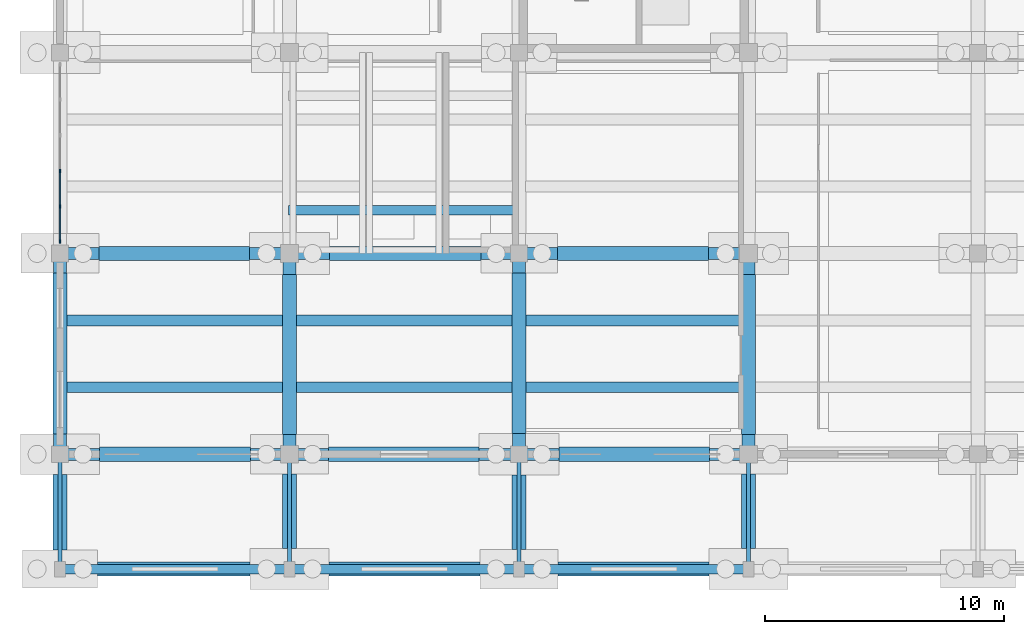
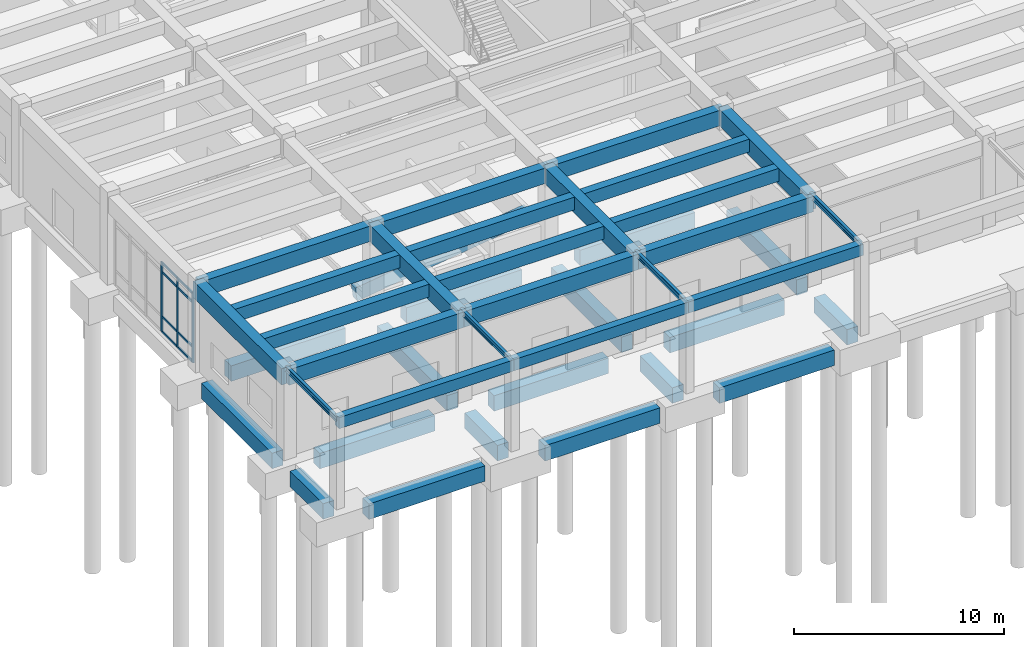
# One storey, part 11 of 102: 41 beams, 11 members, 1 element without a shape of its own.
"""IFC4 building model written with IfcOpenShell, lengths in metres."""

from ifc_helpers import new_model, si_unit, direction, frame, origin, origin_2d, place, context, subcontext, project, spatial, rectangle, i_section, extrude, material, layer, layer_set, material_profile, profile_set, type_object, element, aggregate, save


model = new_model("IFC4")

# Units and contexts
model_context = context("Model", 3, precision=1e-05, world=origin(), true_north=direction((0.0, 1.0)))
body_context = subcontext(model_context, "Body", "Model", "MODEL_VIEW")
ifc_project = project(units=[si_unit("LENGTHUNIT", "METRE"), si_unit("AREAUNIT", "SQUARE_METRE"), si_unit("VOLUMEUNIT", "CUBIC_METRE"), si_unit("PLANEANGLEUNIT", "RADIAN"), si_unit("MASSUNIT", "GRAM", prefix="KILO")], contexts=[model_context])

# Site, building, storey
site_placement = place(None, origin())
site = spatial("IfcSite", under=ifc_project, at=site_placement, CompositionType="ELEMENT")
building_placement = place(site_placement, origin())
building = spatial("IfcBuilding", under=site, at=building_placement, Name="Kolvemor Railside Polytechnic", CompositionType="ELEMENT")
storey_placement = place(building_placement, origin())
storey = spatial("IfcBuildingStorey", under=building, at=storey_placement, Name="L00", CompositionType="ELEMENT", Elevation=0.0)

# Beams
ifc_material_1 = material(Name="Concrete C40/50", Category="concrete")
ifc_material_profile_1 = material_profile(ifc_material_1, rectangle(XDim=0.39990234375, YDim=0.64990234375, at=origin_2d()), Name="RC400x650")
ifc_profile_set_1 = profile_set([ifc_material_profile_1], Name="Concrete C40/50")
beam_type_1 = type_object("IfcBeamType", Name="BM-RC-EDGE", PredefinedType="LINTEL", material=ifc_profile_set_1)
beam_1_placement = place(storey_placement, frame((0.0, 0.0, 4.885009765625), z_axis=(1.0, 0.0, 0.0), x_axis=(0.0, 1.0, 0.0)))
element("IfcBeam", 1, at=beam_1_placement, inside=storey, type_object=beam_type_1, Name="Arcade Canopy Lintel Beam 1975", PredefinedType="LINTEL", context=body_context, shape_type="SweptSolid", body=[
    extrude(rectangle(XDim=0.39990234375, YDim=0.64990234375, at=origin_2d()), origin(), (0.0, 0.0, 1.0), 9.60009765625),
])
beam_2_placement = place(storey_placement, frame((9.60009765625, 0.0, 4.885009765625), z_axis=(1.0, 0.0, 0.0), x_axis=(0.0, 1.0, 0.0)))
element("IfcBeam", 2, at=beam_2_placement, inside=storey, type_object=beam_type_1, Name="Arcade Canopy Lintel Beam 1976", PredefinedType="LINTEL", context=body_context, shape_type="SweptSolid", body=[
    extrude(rectangle(XDim=0.39990234375, YDim=0.64990234375, at=origin_2d()), origin(), (0.0, 0.0, 1.0), 9.599853515625),
])
beam_3_placement = place(storey_placement, frame((19.199951171875, 0.0, 4.885009765625), z_axis=(1.0, 0.0, 0.0), x_axis=(0.0, 1.0, 0.0)))
element("IfcBeam", 3, at=beam_3_placement, inside=storey, type_object=beam_type_1, Name="Arcade Canopy Lintel Beam 1977", PredefinedType="LINTEL", context=body_context, shape_type="SweptSolid", body=[
    extrude(rectangle(XDim=0.39990234375, YDim=0.64990234375, at=origin_2d()), origin(), (0.0, 0.0, 1.0), 9.60009765625),
])
ifc_material_2 = material(Name="Concrete C40/50", Category="concrete")
ifc_material_profile_2 = material_profile(ifc_material_2, rectangle(XDim=0.550048828125, YDim=0.949951171875, at=origin_2d()), Name="RC550x950")
ifc_profile_set_2 = profile_set([ifc_material_profile_2], Name="Concrete C40/50")
beam_type_2 = type_object("IfcBeamType", Name="BM-RC-GIRD", PredefinedType="BEAM", material=ifc_profile_set_2)
for number, where, z_axis, x_axis, name in (
    (4, (0.0, 4.800048828125, 4.635009765625), (0.0, 1.0, 0.0), (-1.0, 0.0, 0.0), "Primary Girder L01-GY 0051"),
    (5, (9.60009765625, 4.800048828125, 4.635009765625), (0.0, 1.0, 0.0), (-1.0, 0.0, 0.0), "Primary Girder L01-GY 0060"),
    (6, (19.199951171875, 4.800048828125, 4.635009765625), (0.0, 1.0, 0.0), (-1.0, 0.0, 0.0), "Primary Girder L01-GY 0069"),
    (7, (28.800048828125, 4.800048828125, 4.635009765625), (0.0, 1.0, 0.0), (-1.0, 0.0, 0.0), "Primary Girder L01-GY 0078"),
):
    element("IfcBeam", number, at=place(storey_placement, frame(where, z_axis=z_axis, x_axis=x_axis)), inside=storey, type_object=beam_type_2, Name=name, PredefinedType="BEAM", context=body_context, shape_type="SweptSolid", body=[
        extrude(rectangle(XDim=0.550048828125, YDim=0.949951171875, at=origin_2d()), origin(), (0.0, 0.0, 1.0), 8.39990234375),
    ])
ifc_material_3 = material(Name="Concrete C40/50", Category="concrete")
ifc_material_profile_3 = material_profile(ifc_material_3, rectangle(XDim=0.5, YDim=0.89990234375, at=origin_2d()), Name="RC500x900")
ifc_profile_set_3 = profile_set([ifc_material_profile_3], Name="Concrete C40/50")
beam_type_3 = type_object("IfcBeamType", Name="BM-RC-GIRD4", PredefinedType="BEAM", material=ifc_profile_set_3)
beam_4_placement = place(storey_placement, frame((0.0, 4.800048828125, 4.659912109375), z_axis=(1.0, 0.0, 0.0), x_axis=(0.0, 1.0, 0.0)))
element("IfcBeam", 8, at=beam_4_placement, inside=storey, type_object=beam_type_3, Name="Primary Girder L01-GX 0001", PredefinedType="BEAM", context=body_context, shape_type="SweptSolid", body=[
    extrude(rectangle(XDim=0.5, YDim=0.89990234375, at=origin_2d()), origin(), (0.0, 0.0, 1.0), 9.60009765625),
])
beam_5_placement = place(storey_placement, frame((9.60009765625, 4.800048828125, 4.659912109375), z_axis=(1.0, 0.0, 0.0), x_axis=(0.0, 1.0, 0.0)))
element("IfcBeam", 9, at=beam_5_placement, inside=storey, type_object=beam_type_3, Name="Primary Girder L01-GX 0002", PredefinedType="BEAM", context=body_context, shape_type="SweptSolid", body=[
    extrude(rectangle(XDim=0.5, YDim=0.89990234375, at=origin_2d()), origin(), (0.0, 0.0, 1.0), 9.599853515625),
])
for number, where, z_axis, x_axis, name in (
    (10, (19.199951171875, 4.800048828125, 4.659912109375), (1.0, 0.0, 0.0), (0.0, 1.0, 0.0), "Primary Girder L01-GX 0003"),
    (11, (0.0, 13.199951171875, 4.659912109375), (1.0, 0.0, 0.0), (0.0, 1.0, 0.0), "Primary Girder L01-GX 0006"),
):
    element("IfcBeam", number, at=place(storey_placement, frame(where, z_axis=z_axis, x_axis=x_axis)), inside=storey, type_object=beam_type_3, Name=name, PredefinedType="BEAM", context=body_context, shape_type="SweptSolid", body=[
        extrude(rectangle(XDim=0.5, YDim=0.89990234375, at=origin_2d()), origin(), (0.0, 0.0, 1.0), 9.60009765625),
    ])
beam_6_placement = place(storey_placement, frame((9.60009765625, 13.199951171875, 4.659912109375), z_axis=(1.0, 0.0, 0.0), x_axis=(0.0, 1.0, 0.0)))
element("IfcBeam", 12, at=beam_6_placement, inside=storey, type_object=beam_type_3, Name="Primary Girder L01-GX 0007", PredefinedType="BEAM", context=body_context, shape_type="SweptSolid", body=[
    extrude(rectangle(XDim=0.5, YDim=0.89990234375, at=origin_2d()), origin(), (0.0, 0.0, 1.0), 9.599853515625),
])
beam_7_placement = place(storey_placement, frame((19.199951171875, 13.199951171875, 4.659912109375), z_axis=(1.0, 0.0, 0.0), x_axis=(0.0, 1.0, 0.0)))
element("IfcBeam", 13, at=beam_7_placement, inside=storey, type_object=beam_type_3, Name="Primary Girder L01-GX 0008", PredefinedType="BEAM", context=body_context, shape_type="SweptSolid", body=[
    extrude(rectangle(XDim=0.5, YDim=0.89990234375, at=origin_2d()), origin(), (0.0, 0.0, 1.0), 9.60009765625),
])
ifc_material_4 = material(Name="Concrete C40/50", Category="concrete")
ifc_material_profile_4 = material_profile(ifc_material_4, rectangle(XDim=0.39990234375, YDim=0.800048828125, at=origin_2d()), Name="RC400x800")
ifc_profile_set_4 = profile_set([ifc_material_profile_4], Name="Concrete C40/50")
beam_type_4 = type_object("IfcBeamType", Name="BM-RC-RAKER", PredefinedType="BEAM", material=ifc_profile_set_4)
beam_8_placement = place(storey_placement, frame((9.60009765625, 15.0, -0.10009765625), z_axis=(0.990765911477, 0.0, 0.135583585491), x_axis=(0.0, 1.0, 0.0)))
element("IfcBeam", 14, at=beam_8_placement, inside=storey, type_object=beam_type_4, Name="Lecture Raker Beam RK-1-1", PredefinedType="BEAM", context=body_context, shape_type="SweptSolid", body=[
    extrude(rectangle(XDim=0.39990234375, YDim=0.800048828125, at=origin_2d()), origin(), (0.0, 0.0, 1.0), 9.588623046875),
])
ifc_material_5 = material(Name="Concrete C40/50", Category="concrete")
ifc_material_profile_5 = material_profile(ifc_material_5, rectangle(XDim=0.449951171875, YDim=0.75, at=origin_2d()), Name="RC450x750")
ifc_profile_set_5 = profile_set([ifc_material_profile_5], Name="Concrete C40/50")
beam_type_5 = type_object("IfcBeamType", Name="BM-RC-SEC", PredefinedType="JOIST", material=ifc_profile_set_5)
for number, where, z_axis, x_axis, name in (
    (15, (0.27490234375, 7.60009765625, 4.735107421875), (1.0, 0.0, 0.0), (0.0, 1.0, 0.0), "Floor Joist L01-J0105"),
    (16, (0.27490234375, 10.39990234375, 4.735107421875), (1.0, 0.0, 0.0), (0.0, 1.0, 0.0), "Floor Joist L01-J0106"),
    (17, (9.875, 7.60009765625, 4.735107421875), (1.0, 0.0, 0.0), (0.0, 1.0, 0.0), "Floor Joist L01-J0123"),
    (18, (9.875, 10.39990234375, 4.735107421875), (1.0, 0.0, 0.0), (0.0, 1.0, 0.0), "Floor Joist L01-J0124"),
):
    element("IfcBeam", number, at=place(storey_placement, frame(where, z_axis=z_axis, x_axis=x_axis)), inside=storey, type_object=beam_type_5, Name=name, PredefinedType="JOIST", context=body_context, shape_type="SweptSolid", body=[
        extrude(rectangle(XDim=0.449951171875, YDim=0.75, at=origin_2d()), origin(), (0.0, 0.0, 1.0), 9.050048828125),
    ])
for number, where, z_axis, x_axis, name in (
    (19, (19.47509765625, 7.60009765625, 4.735107421875), (1.0, 0.0, 0.0), (0.0, 1.0, 0.0), "Floor Joist L01-J0141"),
    (20, (19.47509765625, 10.39990234375, 4.735107421875), (1.0, 0.0, 0.0), (0.0, 1.0, 0.0), "Floor Joist L01-J0142"),
):
    element("IfcBeam", number, at=place(storey_placement, frame(where, z_axis=z_axis, x_axis=x_axis)), inside=storey, type_object=beam_type_5, Name=name, PredefinedType="JOIST", context=body_context, shape_type="SweptSolid", body=[
        extrude(rectangle(XDim=0.449951171875, YDim=0.75, at=origin_2d()), origin(), (0.0, 0.0, 1.0), 9.0498046875),
    ])
ifc_material_6 = material(Name="Concrete C40/50", Category="concrete")
ifc_material_profile_6 = material_profile(ifc_material_6, rectangle(XDim=0.60009765625, YDim=0.89990234375, at=origin_2d()), Name="RC600x900")
ifc_profile_set_6 = profile_set([ifc_material_profile_6], Name="Concrete C40/50")
beam_type_6 = type_object("IfcBeamType", Name="BM-RC-TIE", PredefinedType="BEAM", material=ifc_profile_set_6)
beam_9_placement = place(storey_placement, frame((1.576904296875, 0.0, -0.75), z_axis=(1.0, 0.0, 0.0), x_axis=(0.0, 1.0, 0.0)))
element("IfcBeam", 21, at=beam_9_placement, inside=storey, type_object=beam_type_6, Name="Ground Tie Beam GTB-X001", PredefinedType="BEAM", context=body_context, shape_type="SweptSolid", body=[
    extrude(rectangle(XDim=0.60009765625, YDim=0.89990234375, at=origin_2d()), origin(), (0.0, 0.0, 1.0), 6.37109375),
])
for number, where, z_axis, x_axis, name in (
    (22, (11.251953125, 0.0, -0.75), (1.0, 0.0, 0.0), (0.0, 1.0, 0.0), "Ground Tie Beam GTB-X002"),
    (23, (20.826904296875, 0.0, -0.75), (1.0, 0.0, 0.0), (0.0, 1.0, 0.0), "Ground Tie Beam GTB-X003"),
):
    element("IfcBeam", number, at=place(storey_placement, frame(where, z_axis=z_axis, x_axis=x_axis)), inside=storey, type_object=beam_type_6, Name=name, PredefinedType="BEAM", context=body_context, shape_type="SweptSolid", body=[
        extrude(rectangle(XDim=0.60009765625, YDim=0.89990234375, at=origin_2d()), origin(), (0.0, 0.0, 1.0), 6.321044921875),
    ])
beam_10_placement = place(storey_placement, frame((1.652099609375, 4.800048828125, -0.75), z_axis=(1.0, 0.0, 0.0), x_axis=(0.0, 1.0, 0.0)))
element("IfcBeam", 24, at=beam_10_placement, inside=storey, type_object=beam_type_6, Name="Ground Tie Beam GTB-X023", PredefinedType="BEAM", context=body_context, shape_type="SweptSolid", body=[
    extrude(rectangle(XDim=0.60009765625, YDim=0.89990234375, at=origin_2d()), origin(), (0.0, 0.0, 1.0), 6.32080078125),
])
beam_11_placement = place(storey_placement, frame((11.22705078125, 4.800048828125, -0.75), z_axis=(1.0, 0.0, 0.0), x_axis=(0.0, 1.0, 0.0)))
element("IfcBeam", 25, at=beam_11_placement, inside=storey, type_object=beam_type_6, Name="Ground Tie Beam GTB-X024", PredefinedType="BEAM", context=body_context, shape_type="SweptSolid", body=[
    extrude(rectangle(XDim=0.60009765625, YDim=0.89990234375, at=origin_2d()), origin(), (0.0, 0.0, 1.0), 6.2958984375),
])
for number, where, z_axis, x_axis, name in (
    (26, (20.876953125, 4.800048828125, -0.75), (1.0, 0.0, 0.0), (0.0, 1.0, 0.0), "Ground Tie Beam GTB-X025"),
    (27, (1.626953125, 13.199951171875, -0.75), (1.0, 0.0, 0.0), (0.0, 1.0, 0.0), "Ground Tie Beam GTB-X044"),
):
    element("IfcBeam", number, at=place(storey_placement, frame(where, z_axis=z_axis, x_axis=x_axis)), inside=storey, type_object=beam_type_6, Name=name, PredefinedType="BEAM", context=body_context, shape_type="SweptSolid", body=[
        extrude(rectangle(XDim=0.60009765625, YDim=0.89990234375, at=origin_2d()), origin(), (0.0, 0.0, 1.0), 6.296142578125),
    ])
beam_12_placement = place(storey_placement, frame((11.277099609375, 13.199951171875, -0.75), z_axis=(1.0, 0.0, 0.0), x_axis=(0.0, 1.0, 0.0)))
element("IfcBeam", 28, at=beam_12_placement, inside=storey, type_object=beam_type_6, Name="Ground Tie Beam GTB-X045", PredefinedType="BEAM", context=body_context, shape_type="SweptSolid", body=[
    extrude(rectangle(XDim=0.60009765625, YDim=0.89990234375, at=origin_2d()), origin(), (0.0, 0.0, 1.0), 6.32080078125),
])
beam_13_placement = place(storey_placement, frame((20.802001953125, 13.199951171875, -0.75), z_axis=(1.0, 0.0, 0.0), x_axis=(0.0, 1.0, 0.0)))
element("IfcBeam", 29, at=beam_13_placement, inside=storey, type_object=beam_type_6, Name="Ground Tie Beam GTB-X046", PredefinedType="BEAM", context=body_context, shape_type="SweptSolid", body=[
    extrude(rectangle(XDim=0.60009765625, YDim=0.89990234375, at=origin_2d()), origin(), (0.0, 0.0, 1.0), 6.321044921875),
])
beam_14_placement = place(storey_placement, frame((0.0, 0.802001953125, -0.75), z_axis=(0.0, 1.0, 0.0), x_axis=(-1.0, 0.0, 0.0)))
element("IfcBeam", 30, at=beam_14_placement, inside=storey, type_object=beam_type_6, Name="Ground Tie Beam GTB-Y228", PredefinedType="BEAM", context=body_context, shape_type="SweptSolid", body=[
    extrude(rectangle(XDim=0.60009765625, YDim=0.89990234375, at=origin_2d()), origin(), (0.0, 0.0, 1.0), 3.14599609375),
])
beam_15_placement = place(storey_placement, frame((0.0, 5.652099609375, -0.75), z_axis=(0.0, 1.0, 0.0), x_axis=(-1.0, 0.0, 0.0)))
element("IfcBeam", 31, at=beam_15_placement, inside=storey, type_object=beam_type_6, Name="Ground Tie Beam GTB-Y229", PredefinedType="BEAM", context=body_context, shape_type="SweptSolid", body=[
    extrude(rectangle(XDim=0.60009765625, YDim=0.89990234375, at=origin_2d()), origin(), (0.0, 0.0, 1.0), 6.720947265625),
])
beam_16_placement = place(storey_placement, frame((9.60009765625, 0.85205078125, -0.75), z_axis=(0.0, 1.0, 0.0), x_axis=(-1.0, 0.0, 0.0)))
element("IfcBeam", 32, at=beam_16_placement, inside=storey, type_object=beam_type_6, Name="Ground Tie Beam GTB-Y238", PredefinedType="BEAM", context=body_context, shape_type="SweptSolid", body=[
    extrude(rectangle(XDim=0.60009765625, YDim=0.89990234375, at=origin_2d()), origin(), (0.0, 0.0, 1.0), 3.120849609375),
])
beam_17_placement = place(storey_placement, frame((9.60009765625, 5.626953125, -0.75), z_axis=(0.0, 1.0, 0.0), x_axis=(-1.0, 0.0, 0.0)))
element("IfcBeam", 33, at=beam_17_placement, inside=storey, type_object=beam_type_6, Name="Ground Tie Beam GTB-Y239", PredefinedType="BEAM", context=body_context, shape_type="SweptSolid", body=[
    extrude(rectangle(XDim=0.60009765625, YDim=0.89990234375, at=origin_2d()), origin(), (0.0, 0.0, 1.0), 6.696044921875),
])
beam_18_placement = place(storey_placement, frame((19.199951171875, 0.826904296875, -0.75), z_axis=(0.0, 1.0, 0.0), x_axis=(-1.0, 0.0, 0.0)))
element("IfcBeam", 34, at=beam_18_placement, inside=storey, type_object=beam_type_6, Name="Ground Tie Beam GTB-Y248", PredefinedType="BEAM", context=body_context, shape_type="SweptSolid", body=[
    extrude(rectangle(XDim=0.60009765625, YDim=0.89990234375, at=origin_2d()), origin(), (0.0, 0.0, 1.0), 3.09619140625),
])
beam_19_placement = place(storey_placement, frame((19.199951171875, 5.677001953125, -0.75), z_axis=(0.0, 1.0, 0.0), x_axis=(-1.0, 0.0, 0.0)))
element("IfcBeam", 35, at=beam_19_placement, inside=storey, type_object=beam_type_6, Name="Ground Tie Beam GTB-Y249", PredefinedType="BEAM", context=body_context, shape_type="SweptSolid", body=[
    extrude(rectangle(XDim=0.60009765625, YDim=0.89990234375, at=origin_2d()), origin(), (0.0, 0.0, 1.0), 6.696044921875),
])
beam_20_placement = place(storey_placement, frame((28.800048828125, 0.85205078125, -0.75), z_axis=(0.0, 1.0, 0.0), x_axis=(-1.0, 0.0, 0.0)))
element("IfcBeam", 36, at=beam_20_placement, inside=storey, type_object=beam_type_6, Name="Ground Tie Beam GTB-Y261", PredefinedType="BEAM", context=body_context, shape_type="SweptSolid", body=[
    extrude(rectangle(XDim=0.60009765625, YDim=0.89990234375, at=origin_2d()), origin(), (0.0, 0.0, 1.0), 3.120849609375),
])
beam_21_placement = place(storey_placement, frame((28.800048828125, 5.626953125, -0.75), z_axis=(0.0, 1.0, 0.0), x_axis=(-1.0, 0.0, 0.0)))
element("IfcBeam", 37, at=beam_21_placement, inside=storey, type_object=beam_type_6, Name="Ground Tie Beam GTB-Y262", PredefinedType="BEAM", context=body_context, shape_type="SweptSolid", body=[
    extrude(rectangle(XDim=0.60009765625, YDim=0.89990234375, at=origin_2d()), origin(), (0.0, 0.0, 1.0), 6.696044921875),
])
ifc_material_7 = material(Name="Steel S355", Category="steel")
ifc_material_profile_7 = material_profile(ifc_material_7, i_section(OverallWidth=0.166015625, OverallDepth=0.31298828125, WebThickness=0.006591796875, FlangeThickness=0.01123046875, FilletRadius=0.010009765625, at=origin_2d()), Name="W310x45")
ifc_profile_set_7 = profile_set([ifc_material_profile_7], Name="Steel S355")
beam_type_7 = type_object("IfcBeamType", Name="BM-ST-SUB", PredefinedType="BEAM", material=ifc_profile_set_7)
for number, where, z_axis, x_axis, name in (
    (38, (0.0, 0.0, 5.052978515625), (0.0, 1.0, 0.0), (-1.0, 0.0, 0.0), "Arcade Outrigger Collector Beam 1989"),
    (39, (9.60009765625, 0.0, 5.052978515625), (0.0, 1.0, 0.0), (-1.0, 0.0, 0.0), "Arcade Outrigger Collector Beam 1990"),
    (40, (19.199951171875, 0.0, 5.052978515625), (0.0, 1.0, 0.0), (-1.0, 0.0, 0.0), "Arcade Outrigger Collector Beam 1991"),
    (41, (28.800048828125, 0.0, 5.052978515625), (0.0, 1.0, 0.0), (-1.0, 0.0, 0.0), "Arcade Outrigger Collector Beam 1992"),
):
    element("IfcBeam", number, at=place(storey_placement, frame(where, z_axis=z_axis, x_axis=x_axis)), inside=storey, type_object=beam_type_7, Name=name, PredefinedType="BEAM", context=body_context, shape_type="SweptSolid", body=[
        extrude(i_section(OverallWidth=0.166015625, OverallDepth=0.31298828125, WebThickness=0.006591796875, FlangeThickness=0.01123046875, FilletRadius=0.010009765625, at=origin_2d()), origin(), (0.0, 0.0, 1.0), 4.800048828125),
    ])

# Curtain wall, members
ifc_material_8 = material(Name="Anodised marine aluminium and laminated low-E glass", Category="aluminium")
ifc_layer = layer(ifc_material_8, 0.179931640625, Name="CW-UNIT-STD")
ifc_layer_set = layer_set([ifc_layer], Name="Anodised marine aluminium and laminated low-E glass")
curtain_wall_type = type_object("IfcCurtainWallType", Name="CW-UNIT-STD", PredefinedType="USERDEFINED", material=ifc_layer_set)
curtain_wall_placement = place(storey_placement, origin())
curtain_wall = element("IfcCurtainWall", 42, at=curtain_wall_placement, inside=storey, type_object=curtain_wall_type, Name="Curtain Wall L00-046", ObjectType="UNITISED CURTAIN WALL", PredefinedType="USERDEFINED")
ifc_material_9 = material(Name="Anodised marine aluminium 6063-T6", Category="aluminium")
ifc_material_profile_8 = material_profile(ifc_material_9, rectangle(XDim=0.06494140625, YDim=0.14990234375, at=origin_2d()), Name="CW-MUL-65x150")
ifc_profile_set_8 = profile_set([ifc_material_profile_8], Name="Anodised marine aluminium 6063-T6")
member_type_1 = type_object("IfcMemberType", Name="CWM-65x150", PredefinedType="MULLION", material=ifc_profile_set_8)
member_1_placement = place(storey_placement, frame((0.0, 16.654052734375, 0.0), z_axis=(0.0, 0.0, 1.0), x_axis=(1.0, 0.0, 0.0)))
member_1 = element("IfcMember", 43, at=member_1_placement, type_object=member_type_1, Name="CW-STD mullion 4", PredefinedType="MULLION", context=body_context, shape_type="SweptSolid", body=[
    extrude(rectangle(XDim=0.06494140625, YDim=0.14990234375, at=origin_2d()), origin(), (0.0, 0.0, 1.0), 4.0400390625),
])
member_2_placement = place(storey_placement, frame((0.0, 15.162109375, 0.0), z_axis=(0.0, 0.0, 1.0), x_axis=(1.0, 0.0, 0.0)))
member_2 = element("IfcMember", 44, at=member_2_placement, type_object=member_type_1, Name="CW-STD mullion 5", PredefinedType="MULLION", context=body_context, shape_type="SweptSolid", body=[
    extrude(rectangle(XDim=0.06494140625, YDim=0.14990234375, at=origin_2d()), origin(), (0.0, 0.0, 1.0), 4.0400390625),
])
member_3_placement = place(storey_placement, frame((0.0, 13.702392578125, 0.0), z_axis=(0.0, 0.0, 1.0), x_axis=(1.0, 0.0, 0.0)))
member_3 = element("IfcMember", 45, at=member_3_placement, type_object=member_type_1, Name="CW-STD mullion 6", PredefinedType="MULLION", context=body_context, shape_type="SweptSolid", body=[
    extrude(rectangle(XDim=0.06494140625, YDim=0.14990234375, at=origin_2d()), origin(), (0.0, 0.0, 1.0), 4.0400390625),
])
ifc_material_10 = material(Name="Anodised marine aluminium 6063-T6", Category="aluminium")
ifc_material_profile_9 = material_profile(ifc_material_10, rectangle(XDim=0.06494140625, YDim=0.1201171875, at=origin_2d()), Name="CW-TRN-65x120")
ifc_profile_set_9 = profile_set([ifc_material_profile_9], Name="Anodised marine aluminium 6063-T6")
member_type_2 = type_object("IfcMemberType", Name="CWT-65x120", PredefinedType="USERDEFINED", material=ifc_profile_set_9)
member_4_placement = place(storey_placement, frame((0.0, 16.62158203125, 0.032470703125), z_axis=(0.0, -1.0, 0.0), x_axis=(1.0, 0.0, 0.0)))
member_4 = element("IfcMember", 46, at=member_4_placement, type_object=member_type_2, Name="CW-STD transom 4.1", ObjectType="TRANSOM", PredefinedType="USERDEFINED", context=body_context, shape_type="SweptSolid", body=[
    extrude(rectangle(XDim=0.06494140625, YDim=0.1201171875, at=origin_2d()), origin(), (0.0, 0.0, 1.0), 1.427001953125),
])
member_5_placement = place(storey_placement, frame((0.0, 16.62158203125, 0.89990234375), z_axis=(0.0, -1.0, 0.0), x_axis=(1.0, 0.0, 0.0)))
member_5 = element("IfcMember", 47, at=member_5_placement, type_object=member_type_2, Name="CW-STD transom 4.2", ObjectType="TRANSOM", PredefinedType="USERDEFINED", context=body_context, shape_type="SweptSolid", body=[
    extrude(rectangle(XDim=0.06494140625, YDim=0.1201171875, at=origin_2d()), origin(), (0.0, 0.0, 1.0), 1.427001953125),
])
member_6_placement = place(storey_placement, frame((0.0, 16.62158203125, 3.489990234375), z_axis=(0.0, -1.0, 0.0), x_axis=(1.0, 0.0, 0.0)))
member_6 = element("IfcMember", 48, at=member_6_placement, type_object=member_type_2, Name="CW-STD transom 4.3", ObjectType="TRANSOM", PredefinedType="USERDEFINED", context=body_context, shape_type="SweptSolid", body=[
    extrude(rectangle(XDim=0.06494140625, YDim=0.1201171875, at=origin_2d()), origin(), (0.0, 0.0, 1.0), 1.427001953125),
])
member_7_placement = place(storey_placement, frame((0.0, 16.62158203125, 4.007568359375), z_axis=(0.0, -1.0, 0.0), x_axis=(1.0, 0.0, 0.0)))
member_7 = element("IfcMember", 49, at=member_7_placement, type_object=member_type_2, Name="CW-STD transom 4.4", ObjectType="TRANSOM", PredefinedType="USERDEFINED", context=body_context, shape_type="SweptSolid", body=[
    extrude(rectangle(XDim=0.06494140625, YDim=0.1201171875, at=origin_2d()), origin(), (0.0, 0.0, 1.0), 1.427001953125),
])
member_8_placement = place(storey_placement, frame((0.0, 15.12939453125, 0.032470703125), z_axis=(0.0, -1.0, 0.0), x_axis=(1.0, 0.0, 0.0)))
member_8 = element("IfcMember", 50, at=member_8_placement, type_object=member_type_2, Name="CW-STD transom 5.1", ObjectType="TRANSOM", PredefinedType="USERDEFINED", context=body_context, shape_type="SweptSolid", body=[
    extrude(rectangle(XDim=0.06494140625, YDim=0.1201171875, at=origin_2d()), origin(), (0.0, 0.0, 1.0), 1.394287109375),
])
member_9_placement = place(storey_placement, frame((0.0, 15.12939453125, 0.89990234375), z_axis=(0.0, -1.0, 0.0), x_axis=(1.0, 0.0, 0.0)))
member_9 = element("IfcMember", 51, at=member_9_placement, type_object=member_type_2, Name="CW-STD transom 5.2", ObjectType="TRANSOM", PredefinedType="USERDEFINED", context=body_context, shape_type="SweptSolid", body=[
    extrude(rectangle(XDim=0.06494140625, YDim=0.1201171875, at=origin_2d()), origin(), (0.0, 0.0, 1.0), 1.394287109375),
])
member_10_placement = place(storey_placement, frame((0.0, 15.12939453125, 3.489990234375), z_axis=(0.0, -1.0, 0.0), x_axis=(1.0, 0.0, 0.0)))
member_10 = element("IfcMember", 52, at=member_10_placement, type_object=member_type_2, Name="CW-STD transom 5.3", ObjectType="TRANSOM", PredefinedType="USERDEFINED", context=body_context, shape_type="SweptSolid", body=[
    extrude(rectangle(XDim=0.06494140625, YDim=0.1201171875, at=origin_2d()), origin(), (0.0, 0.0, 1.0), 1.394287109375),
])
member_11_placement = place(storey_placement, frame((0.0, 15.12939453125, 4.007568359375), z_axis=(0.0, -1.0, 0.0), x_axis=(1.0, 0.0, 0.0)))
member_11 = element("IfcMember", 53, at=member_11_placement, type_object=member_type_2, Name="CW-STD transom 5.4", ObjectType="TRANSOM", PredefinedType="USERDEFINED", context=body_context, shape_type="SweptSolid", body=[
    extrude(rectangle(XDim=0.06494140625, YDim=0.1201171875, at=origin_2d()), origin(), (0.0, 0.0, 1.0), 1.394287109375),
])
aggregate(curtain_wall, [member_1, member_2, member_3, member_4, member_5, member_6, member_7, member_8, member_9, member_10, member_11])

save(model, "model.ifc")
